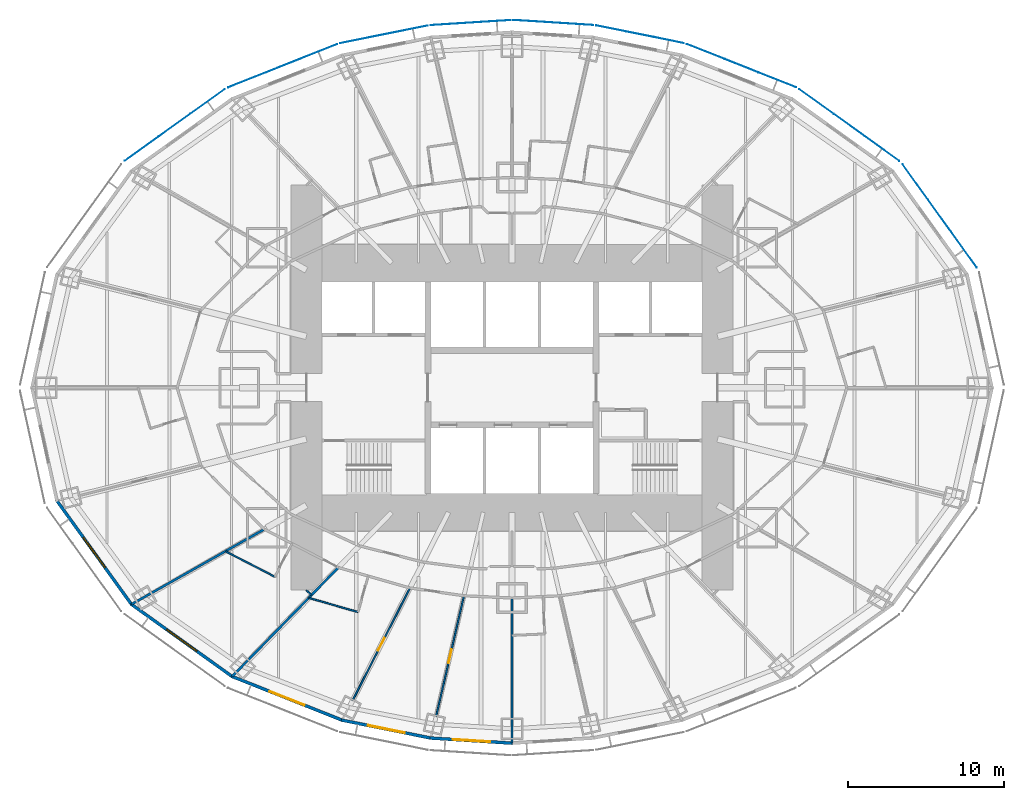
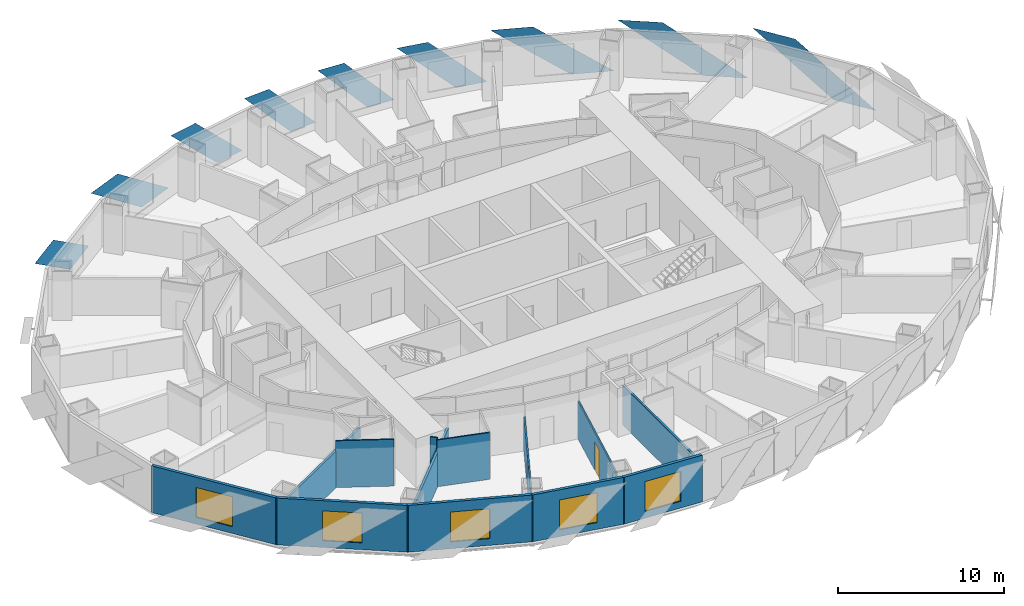
# One storey, part 4 of 15: 13 walls, 9 plates, 5 windows, 2 doors, 7 openings.
"""IFC4 building model written with IfcOpenShell, lengths in metres."""

from ifc_helpers import new_model, si_unit, direction, frame, frame_2d, origin, place, context, subcontext, project, spatial, polyline, rectangle, outline, extrude, material, layer, layer_set, type_object, element, fill, save


model = new_model("IFC4")

# Units and contexts
model_context = context("Model", 3, precision=1e-05, world=origin(), true_north=direction((0.0, 1.0)))
body_context = subcontext(model_context, "Body", "Model", "MODEL_VIEW")
ifc_project = project(units=[si_unit("LENGTHUNIT", "METRE"), si_unit("AREAUNIT", "SQUARE_METRE"), si_unit("VOLUMEUNIT", "CUBIC_METRE"), si_unit("PLANEANGLEUNIT", "RADIAN"), si_unit("MASSUNIT", "GRAM", prefix="KILO")], contexts=[model_context])

# Site, building, storey
site_placement = place(None, origin())
site = spatial("IfcSite", under=ifc_project, at=site_placement, CompositionType="ELEMENT")
building_placement = place(site_placement, origin())
building = spatial("IfcBuilding", under=site, at=building_placement, Name="Lantaw Convention Tower", CompositionType="ELEMENT")
storey_placement = place(building_placement, frame((0.0, 0.0, 47.800048828125)))
storey = spatial("IfcBuildingStorey", under=building, at=storey_placement, Name="L09", CompositionType="ELEMENT", Elevation=47.800048828125)

# Plates
ifc_material_1 = material(Name="Perforated aluminium sheet, pale silver finish", Category="aluminium")
ifc_layer_1 = layer(ifc_material_1, 0.006103515625)
ifc_layer_set_1 = layer_set([ifc_layer_1], Name="Perforated aluminium solar SCREEN panel")
plate_type = type_object("IfcPlateType", Name="Perforated aluminium solar SCREEN panel", PredefinedType="SHEET", material=ifc_layer_set_1)
plate_1_placement = place(storey_placement, frame((29.847900390625, 7.720947265625, -0.175048828125), z_axis=(0.811791382613, 0.583947558463, 9.019268e-06), x_axis=(-0.583947558486, 0.811791382646, 0.0)))
element("IfcPlate", 1, at=plate_1_placement, inside=storey, type_object=plate_type, Name="Solar SCREEN panel", PredefinedType="SHEET", context=body_context, shape_type="SweptSolid", body=[
    extrude(outline(polyline([(0.0, 0.0), (2.809541672291133, 0.0), (8.163093158837512, 3.739990234527119), (5.353551486546379, 3.739990234527119), (0.0, 0.0)])), origin(), (0.0, 0.0, -1.0), 0.006103515625),
])
plate_2_placement = place(storey_placement, frame((24.872314453125, 14.555908203125, -0.175048828125), z_axis=(0.582561421998, 0.812786681331, 1.5819417e-05), x_axis=(-0.812786681433, 0.582561422071, 0.0)))
element("IfcPlate", 2, at=plate_2_placement, inside=storey, type_object=plate_type, Name="Solar SCREEN panel", PredefinedType="SHEET", context=body_context, shape_type="SweptSolid", body=[
    extrude(outline(polyline([(0.0, 0.0), (2.721095180812288, 3.3881317890172014e-21), (7.903118572410756, 3.739990234842974), (5.182023391598468, 3.739990234842974), (0.0, 0.0)])), origin(), (0.0, 0.0, -1.0), 0.006103515625),
])
plate_3_placement = place(storey_placement, frame((18.232177734375, 19.278076171875, -0.175048828125), z_axis=(-0.369183532846, -0.929356508016, 9.163296e-06), x_axis=(-0.929356508055, 0.369183532862, 0.0)))
element("IfcPlate", 3, at=plate_3_placement, inside=storey, type_object=plate_type, Name="Solar SCREEN panel", PredefinedType="SHEET", context=body_context, shape_type="SweptSolid", body=[
    extrude(outline(polyline([(0.0, 0.0), (2.594936467166582, -1.6940658945086007e-21), (7.5321069917580825, -3.739990234532016), (4.937170524591499, -3.739990234532016), (0.0, 0.0)])), origin(), (0.0, 0.0, -1.0), 0.006103515625),
])
plate_4_placement = place(storey_placement, frame((11.03271484375, 22.117919921875, -0.175048828125), z_axis=(-0.197781876197, -0.980246055561, 2.418535e-06), x_axis=(-0.980246055563, 0.197781876198, 1.46e-10)))
element("IfcPlate", 4, at=plate_4_placement, inside=storey, type_object=plate_type, Name="Solar SCREEN panel", PredefinedType="SHEET", context=body_context, shape_type="SweptSolid", body=[
    extrude(outline(polyline([(0.0, 0.0), (1.9867801772236329, -3.1763735522036263e-22), (5.743587245978565, -3.7399902335493134), (3.7568553553458006, -3.739990234128105), (0.0, 0.0)])), origin(), (0.0, 0.0, -1.0), 0.006103515625),
])
plate_5_placement = place(storey_placement, frame((5.221923828125, 23.27783203125, -0.175048828125), z_axis=(-0.062923905251, -0.998018327468, 1.3605496e-05), x_axis=(-0.998018327561, 0.062923905257, 9.3e-10)))
element("IfcPlate", 5, at=plate_5_placement, inside=storey, type_object=plate_type, Name="Solar SCREEN panel", PredefinedType="SHEET", context=body_context, shape_type="SweptSolid", body=[
    extrude(outline(polyline([(0.0, 0.0), (1.7828375409377817, -2.117582368135751e-22), (5.143985963027618, -3.739990229938699), (3.3611637843713935, -3.7399902332537565), (0.0, 0.0)])), origin(), (0.0, 0.0, -1.0), 0.006103515625),
])
plate_6_placement = place(storey_placement, frame((-0.088134765625, 23.6015625, -0.175048828125), z_axis=(-0.062923905251, 0.998018327468, 1.3605496e-05), x_axis=(-0.998018327561, -0.062923905257, -9.3e-10)))
element("IfcPlate", 6, at=plate_6_placement, inside=storey, type_object=plate_type, Name="Solar SCREEN panel", PredefinedType="SHEET", context=body_context, shape_type="SweptSolid", body=[
    extrude(outline(polyline([(0.0, 0.0), (1.782822178656225, -2.117582368135751e-22), (5.143985956073316, 3.7399902395036517), (3.3611484151355353, 3.7399902361885653), (0.0, 0.0)])), origin(), (0.0, 0.0, -1.0), 0.006103515625),
])
plate_7_placement = place(storey_placement, frame((-5.402587890625, 23.25390625, -0.175048828125), z_axis=(-0.197781876197, 0.980246055561, 2.418535e-06), x_axis=(-0.980246055563, -0.197781876198, -1.46e-10)))
element("IfcPlate", 7, at=plate_7_placement, inside=storey, type_object=plate_type, Name="Solar SCREEN panel", PredefinedType="SHEET", context=body_context, shape_type="SweptSolid", body=[
    extrude(outline(polyline([(0.0, 0.0), (1.9867318906327642, 1.0587911840678754e-22), (5.743587244888999, 3.7399902352225842), (3.7568070676653664, 3.7399902346437783), (0.0, 0.0)])), origin(), (0.0, 0.0, -1.0), 0.006103515625),
])
plate_8_placement = place(storey_placement, frame((-11.232177734375, 22.058837890625, -0.175048828125), z_axis=(-0.369183532846, 0.929356508016, 9.163296e-06), x_axis=(-0.929356508055, -0.369183532862, 0.0)))
element("IfcPlate", 8, at=plate_8_placement, inside=storey, type_object=plate_type, Name="Solar SCREEN panel", PredefinedType="SHEET", context=body_context, shape_type="SweptSolid", body=[
    extrude(outline(polyline([(0.0, 0.0), (2.594936467166582, 1.6940658945086007e-21), (7.5321069917580825, 3.739990234532016), (4.937170524591499, 3.739990234532016), (0.0, 0.0)])), origin(), (0.0, 0.0, -1.0), 0.006103515625),
])
plate_9_placement = place(storey_placement, frame((-18.44873046875, 19.159912109375, -0.175048828125), z_axis=(0.582561421998, -0.812786681331, 1.5819417e-05), x_axis=(-0.812786681433, -0.582561422071, 0.0)))
element("IfcPlate", 9, at=plate_9_placement, inside=storey, type_object=plate_type, Name="Solar SCREEN panel", PredefinedType="SHEET", context=body_context, shape_type="SweptSolid", body=[
    extrude(outline(polyline([(0.0, 0.0), (2.721095180812288, -3.3881317890172014e-21), (7.903118572410756, -3.739990234842974), (5.182023391598468, -3.739990234842974), (0.0, 0.0)])), origin(), (0.0, 0.0, -1.0), 0.006103515625),
])

# Walls
ifc_material_2 = material(Name="Moisture resistant gypsum board on steel studs", Category="steel")
ifc_layer_2 = layer(ifc_material_2, 0.10009765625)
ifc_layer_set_2 = layer_set([ifc_layer_2], Name="Bathroom wall 100")
wall_type_1 = type_object("IfcWallType", Name="Bathroom wall 100", PredefinedType="PARTITIONING", material=ifc_layer_set_2)
wall_1_placement = place(storey_placement, frame((-15.2265625, -12.13671875, 0.0), z_axis=(0.0, 0.0, 1.0), x_axis=(-0.888342312029, 0.459181812204, 0.0)))
element("IfcWall", 10, at=wall_1_placement, inside=storey, type_object=wall_type_1, Name="Bathroom wall 100", PredefinedType="PARTITIONING", context=body_context, shape_type="SweptSolid", body=[
    extrude(rectangle(XDim=3.5537109375, YDim=0.10009765625, at=frame_2d((1.77685546875, 0.0))), origin(), (0.0, 0.0, 1.0), 3.449951171875),
])
wall_2_placement = place(storey_placement, frame((-9.884521484375, -14.401123046875, 0.0), z_axis=(0.0, 0.0, 1.0), x_axis=(-0.961456470712, 0.274957187441, 0.0)))
element("IfcWall", 11, at=wall_2_placement, inside=storey, type_object=wall_type_1, Name="Bathroom wall 100", PredefinedType="PARTITIONING", context=body_context, shape_type="SweptSolid", body=[
    extrude(rectangle(XDim=3.2783203125, YDim=0.10009765625, at=frame_2d((1.63916015625, 0.0))), origin(), (0.0, 0.0, 1.0), 3.449951171875),
])

# Wall, opening, window
ifc_material_3 = material(Name="Insulated aluminium panel on steel frame", Category="steel")
ifc_layer_3 = layer(ifc_material_3, 0.199951171875)
ifc_layer_set_3 = layer_set([ifc_layer_3], Name="External wall 200")
wall_type_2 = type_object("IfcWallType", Name="External wall 200", PredefinedType="SOLIDWALL", material=ifc_layer_set_3)
wall_3_placement = place(storey_placement, frame((-29.260498046875, -7.199951171875, 0.0), z_axis=(0.0, 0.0, 1.0), x_axis=(0.583937613703, -0.811798536155, 0.0)))
wall_3 = element("IfcWall", 12, at=wall_3_placement, inside=storey, type_object=wall_type_2, Name="Facade panel wall", PredefinedType="SOLIDWALL", context=body_context, shape_type="SweptSolid", body=[
    extrude(rectangle(XDim=8.322998046875, YDim=0.199951171875, at=frame_2d((4.16162109375, 0.0))), origin(), (0.0, 0.0, 1.0), 3.449951171875),
])
opening_1_placement = place(wall_3_placement, frame((2.96142578125, 0.0, 0.5)))
opening_1 = element("IfcOpeningElement", 13, at=opening_1_placement, cuts=wall_3, Name="Opening W1", PredefinedType="OPENING", context=body_context, shape_type="SweptSolid", body=[
    extrude(rectangle(XDim=2.39990234375, YDim=2.199951171875, at=frame_2d((1.199951171875, 1.10009765625))), frame((0.0, 0.10986328125, 0.0), z_axis=(0.0, -1.0, 0.0), x_axis=(1.0, 0.0, 0.0)), (0.0, 0.0, 1.0), 0.219970703125),
])
ifc_material_4 = material(Name="Aluminium frame, clear insulating glass", Category="aluminium")
window_type = type_object("IfcWindowType", Name="Guest room window 2400x2200", PartitioningType="SINGLE_PANEL", PredefinedType="WINDOW", material=ifc_material_4)
window_1_placement = place(opening_1_placement, origin())
window_1 = element("IfcWindow", 14, at=window_1_placement, inside=storey, type_object=window_type, Name="Guest room window", OverallHeight=2.199951171875, OverallWidth=2.39990234375, PartitioningType="SINGLE_PANEL", PredefinedType="WINDOW", context=body_context, shape_type="SweptSolid", body=[
    extrude(rectangle(XDim=2.39990234375, YDim=2.199951171875, at=frame_2d((1.199951171875, 1.10009765625))), frame((0.0, 0.030029296875, 0.0), z_axis=(0.0, -1.0, 0.0), x_axis=(1.0, 0.0, 0.0)), (0.0, 0.0, 1.0), 0.06005859375),
])
fill(opening_1, window_1)

wall_4_placement = place(storey_placement, frame((-24.482421875, -13.87451171875, 0.0), z_axis=(0.0, 0.0, 1.0), x_axis=(0.812791321576, -0.582554948112, 0.0)))
wall_4 = element("IfcWall", 15, at=wall_4_placement, inside=storey, type_object=wall_type_2, Name="Facade panel wall", PredefinedType="SOLIDWALL", context=body_context, shape_type="SweptSolid", body=[
    extrude(rectangle(XDim=8.063232421875, YDim=0.199951171875, at=frame_2d((4.03173828125, 0.0))), origin(), (0.0, 0.0, 1.0), 3.449951171875),
])
opening_2_placement = place(wall_4_placement, frame((2.83154296875, 0.0, 0.5)))
opening_2 = element("IfcOpeningElement", 16, at=opening_2_placement, cuts=wall_4, Name="Opening W1", PredefinedType="OPENING", context=body_context, shape_type="SweptSolid", body=[
    extrude(rectangle(XDim=2.39990234375, YDim=2.199951171875, at=frame_2d((1.199951171875, 1.10009765625))), frame((0.0, 0.10986328125, 0.0), z_axis=(0.0, -1.0, 0.0), x_axis=(1.0, 0.0, 0.0)), (0.0, 0.0, 1.0), 0.219970703125),
])
window_2_placement = place(opening_2_placement, origin())
window_2 = element("IfcWindow", 17, at=window_2_placement, inside=storey, type_object=window_type, Name="Guest room window", OverallHeight=2.199951171875, OverallWidth=2.39990234375, PartitioningType="SINGLE_PANEL", PredefinedType="WINDOW", context=body_context, shape_type="SweptSolid", body=[
    extrude(rectangle(XDim=2.39990234375, YDim=2.199951171875, at=frame_2d((1.199951171875, 1.10009765625))), frame((0.0, 0.030029296875, 0.0), z_axis=(0.0, -1.0, 0.0), x_axis=(1.0, 0.0, 0.0)), (0.0, 0.0, 1.0), 0.06005859375),
])
fill(opening_2, window_2)

wall_5_placement = place(storey_placement, frame((-18.018310546875, -18.522705078125, 0.0), z_axis=(0.0, 0.0, 1.0), x_axis=(0.929358351251, -0.369178892895, 0.0)))
wall_5 = element("IfcWall", 18, at=wall_5_placement, inside=storey, type_object=wall_type_2, Name="Facade panel wall", PredefinedType="SOLIDWALL", context=body_context, shape_type="SweptSolid", body=[
    extrude(rectangle(XDim=7.6923828125, YDim=0.199951171875, at=frame_2d((3.84619140625, 0.0))), origin(), (0.0, 0.0, 1.0), 3.449951171875),
])
opening_3_placement = place(wall_5_placement, frame((2.64599609375, 0.0, 0.5)))
opening_3 = element("IfcOpeningElement", 19, at=opening_3_placement, cuts=wall_5, Name="Opening W1", PredefinedType="OPENING", context=body_context, shape_type="SweptSolid", body=[
    extrude(rectangle(XDim=2.39990234375, YDim=2.199951171875, at=frame_2d((1.199951171875, 1.10009765625))), frame((0.0, 0.10986328125, 0.0), z_axis=(0.0, -1.0, 0.0), x_axis=(1.0, 0.0, 0.0)), (0.0, 0.0, 1.0), 0.219970703125),
])
window_3_placement = place(opening_3_placement, origin())
window_3 = element("IfcWindow", 20, at=window_3_placement, inside=storey, type_object=window_type, Name="Guest room window", OverallHeight=2.199951171875, OverallWidth=2.39990234375, PartitioningType="SINGLE_PANEL", PredefinedType="WINDOW", context=body_context, shape_type="SweptSolid", body=[
    extrude(rectangle(XDim=2.39990234375, YDim=2.199951171875, at=frame_2d((1.199951171875, 1.10009765625))), frame((0.0, 0.030029296875, 0.0), z_axis=(0.0, -1.0, 0.0), x_axis=(1.0, 0.0, 0.0)), (0.0, 0.0, 1.0), 0.06005859375),
])
fill(opening_3, window_3)

wall_6_placement = place(storey_placement, frame((-10.956787109375, -21.336669921875, 0.0), z_axis=(0.0, 0.0, 1.0), x_axis=(0.980251657452, -0.197754110105, 0.0)))
wall_6 = element("IfcWall", 21, at=wall_6_placement, inside=storey, type_object=wall_type_2, Name="Facade panel wall", PredefinedType="SOLIDWALL", context=body_context, shape_type="SweptSolid", body=[
    extrude(rectangle(XDim=5.90380859375, YDim=0.199951171875, at=frame_2d((2.951904296875, 0.0))), origin(), (0.0, 0.0, 1.0), 3.449951171875),
])
opening_4_placement = place(wall_6_placement, frame((1.751708984375, 0.0, 0.5)))
opening_4 = element("IfcOpeningElement", 22, at=opening_4_placement, cuts=wall_6, Name="Opening W1", PredefinedType="OPENING", context=body_context, shape_type="SweptSolid", body=[
    extrude(rectangle(XDim=2.39990234375, YDim=2.199951171875, at=frame_2d((1.199951171875, 1.10009765625))), frame((0.0, 0.10986328125, 0.0), z_axis=(0.0, -1.0, 0.0), x_axis=(1.0, 0.0, 0.0)), (0.0, 0.0, 1.0), 0.219970703125),
])
window_4_placement = place(opening_4_placement, origin())
window_4 = element("IfcWindow", 23, at=window_4_placement, inside=storey, type_object=window_type, Name="Guest room window", OverallHeight=2.199951171875, OverallWidth=2.39990234375, PartitioningType="SINGLE_PANEL", PredefinedType="WINDOW", context=body_context, shape_type="SweptSolid", body=[
    extrude(rectangle(XDim=2.39990234375, YDim=2.199951171875, at=frame_2d((1.199951171875, 1.10009765625))), frame((0.0, 0.030029296875, 0.0), z_axis=(0.0, -1.0, 0.0), x_axis=(1.0, 0.0, 0.0)), (0.0, 0.0, 1.0), 0.06005859375),
])
fill(opening_4, window_4)

wall_7_placement = place(storey_placement, frame((-5.252685546875, -22.493408203125, 0.0), z_axis=(0.0, 0.0, 1.0), x_axis=(0.998018582375, -0.062919863585, 0.0)))
wall_7 = element("IfcWall", 24, at=wall_7_placement, inside=storey, type_object=wall_type_2, Name="Facade panel wall", PredefinedType="SOLIDWALL", context=body_context, shape_type="SweptSolid", body=[
    extrude(rectangle(XDim=5.30419921875, YDim=0.199951171875, at=frame_2d((2.652099609375, 0.0))), origin(), (0.0, 0.0, 1.0), 3.449951171875),
])
opening_5_placement = place(wall_7_placement, frame((1.4521484375, 0.0, 0.5)))
opening_5 = element("IfcOpeningElement", 25, at=opening_5_placement, cuts=wall_7, Name="Opening W1", PredefinedType="OPENING", context=body_context, shape_type="SweptSolid", body=[
    extrude(rectangle(XDim=2.39990234375, YDim=2.199951171875, at=frame_2d((1.199951171875, 1.10009765625))), frame((0.0, 0.10986328125, 0.0), z_axis=(0.0, -1.0, 0.0), x_axis=(1.0, 0.0, 0.0)), (0.0, 0.0, 1.0), 0.219970703125),
])
window_5_placement = place(opening_5_placement, origin())
window_5 = element("IfcWindow", 26, at=window_5_placement, inside=storey, type_object=window_type, Name="Guest room window", OverallHeight=2.199951171875, OverallWidth=2.39990234375, PartitioningType="SINGLE_PANEL", PredefinedType="WINDOW", context=body_context, shape_type="SweptSolid", body=[
    extrude(rectangle(XDim=2.39990234375, YDim=2.199951171875, at=frame_2d((1.199951171875, 1.10009765625))), frame((0.0, 0.030029296875, 0.0), z_axis=(0.0, -1.0, 0.0), x_axis=(1.0, 0.0, 0.0)), (0.0, 0.0, 1.0), 0.06005859375),
])
fill(opening_5, window_5)

# Walls
ifc_material_5 = material(Name="Gypsum board on steel studs, acoustic", Category="steel")
ifc_layer_4 = layer(ifc_material_5, 0.14990234375)
ifc_layer_set_4 = layer_set([ifc_layer_4], Name="Guest room party wall 150")
wall_type_3 = type_object("IfcWallType", Name="Guest room party wall 150", PredefinedType="PARTITIONING", material=ifc_layer_set_4)
wall_8_placement = place(storey_placement, frame((-24.434814453125, -13.90869140625, 0.0), z_axis=(0.0, 0.0, 1.0), x_axis=(0.870612006791, 0.491970256856, 0.0)))
element("IfcWall", 27, at=wall_8_placement, inside=storey, type_object=wall_type_3, Name="Guest room party wall 150", PredefinedType="PARTITIONING", context=body_context, shape_type="SweptSolid", body=[
    extrude(rectangle(XDim=9.802001953125, YDim=0.14990234375, at=frame_2d((4.90087890625, 0.0))), origin(), (0.0, 0.0, 1.0), 2.693115234375),
])
wall_9_placement = place(storey_placement, frame((-17.970458984375, -18.541748046875, 0.0), z_axis=(0.0, 0.0, 1.0), x_axis=(0.698095013805, 0.71600513385, 0.0)))
element("IfcWall", 28, at=wall_9_placement, inside=storey, type_object=wall_type_3, Name="Guest room party wall 150", PredefinedType="PARTITIONING", context=body_context, shape_type="SweptSolid", body=[
    extrude(rectangle(XDim=9.773681640625, YDim=0.14990234375, at=frame_2d((4.88671875, 0.0))), origin(), (0.0, 0.0, 1.0), 2.52783203125),
])
wall_10_placement = place(storey_placement, frame((0.0, -22.82470703125, 0.0), z_axis=(0.0, 0.0, 1.0), x_axis=(0.0, 1.0, 0.0)))
element("IfcWall", 29, at=wall_10_placement, inside=storey, type_object=wall_type_3, Name="Guest room party wall 150", PredefinedType="PARTITIONING", context=body_context, shape_type="SweptSolid", body=[
    extrude(rectangle(XDim=9.32470703125, YDim=0.14990234375, at=frame_2d((4.662353515625, 0.0))), origin(), (0.0, 0.0, 1.0), 2.924072265625),
])
ifc_layer_5 = layer(ifc_material_5, 0.10009765625)
ifc_layer_set_5 = layer_set([ifc_layer_5], Name="Office partition 100")
wall_type_4 = type_object("IfcWallType", Name="Office partition 100", PredefinedType="PARTITIONING", material=ifc_layer_set_5)
wall_11_placement = place(storey_placement, frame((-13.199951171875, -13.0, 0.0), z_axis=(0.0, 0.0, 1.0), x_axis=(0.715946243145, -0.698155410296, 0.0)))
element("IfcWall", 30, at=wall_11_placement, inside=storey, type_object=wall_type_4, Name="Office partition 100", PredefinedType="PARTITIONING", context=body_context, shape_type="SweptSolid", body=[
    extrude(rectangle(XDim=0.452880859375, YDim=0.10009765625, at=frame_2d((0.2265625, 0.0))), origin(), (0.0, 0.0, 1.0), 3.449951171875),
])

# Wall, opening, door
ifc_material_6 = material(Name="Gypsum board on steel studs", Category="steel")
ifc_layer_6 = layer(ifc_material_6, 0.10009765625)
ifc_layer_set_6 = layer_set([ifc_layer_6], Name="Suite partition 100")
wall_type_5 = type_object("IfcWallType", Name="Suite partition 100", PredefinedType="PARTITIONING", material=ifc_layer_set_6)
wall_12_placement = place(storey_placement, frame((-10.235595703125, -20.08837890625, 0.0), z_axis=(0.0, 0.0, 1.0), x_axis=(0.45398797485, 0.891007810679, 0.0)))
wall_12 = element("IfcWall", 31, at=wall_12_placement, inside=storey, type_object=wall_type_5, Name="Suite partition 100", PredefinedType="PARTITIONING", context=body_context, shape_type="SweptSolid", body=[
    extrude(rectangle(XDim=8.114990234375, YDim=0.10009765625, at=frame_2d((4.0576171875, 0.0))), origin(), (0.0, 0.0, 1.0), 2.52783203125),
])
opening_6_placement = place(wall_12_placement, frame((3.607421875, 0.0, 0.0)))
opening_6 = element("IfcOpeningElement", 32, at=opening_6_placement, cuts=wall_12, Name="Opening L09.50", PredefinedType="OPENING", context=body_context, shape_type="SweptSolid", body=[
    extrude(rectangle(XDim=0.89990234375, YDim=2.10009765625, at=frame_2d((0.449951171875, 1.050048828125))), frame((0.0, 0.06005859375, 0.0), z_axis=(0.0, -1.0, 0.0), x_axis=(1.0, 0.0, 0.0)), (0.0, 0.0, 1.0), 0.1201171875),
])
ifc_material_7 = material(Name="Timber", Category="wood")
door_type = type_object("IfcDoorType", Name="Suite door 900", OperationType="SINGLE_SWING_LEFT", PredefinedType="DOOR", material=ifc_material_7)
door_1_placement = place(opening_6_placement, origin())
door_1 = element("IfcDoor", 33, at=door_1_placement, inside=storey, type_object=door_type, Name="Bedroom door", OperationType="SINGLE_SWING_LEFT", OverallHeight=2.10009765625, OverallWidth=0.89990234375, PredefinedType="DOOR", context=body_context, shape_type="SweptSolid", body=[
    extrude(rectangle(XDim=0.89990234375, YDim=2.10009765625, at=frame_2d((0.449951171875, 1.050048828125))), frame((0.0, 0.02490234375, 0.0), z_axis=(0.0, -1.0, 0.0), x_axis=(1.0, 0.0, 0.0)), (0.0, 0.0, 1.0), 0.050048828125),
])
fill(opening_6, door_1)

wall_13_placement = place(storey_placement, frame((-4.873779296875, -21.11083984375, 0.0), z_axis=(0.0, 0.0, 1.0), x_axis=(0.22494692831, 0.974371017346, 0.0)))
wall_13 = element("IfcWall", 34, at=wall_13_placement, inside=storey, type_object=wall_type_5, Name="Suite partition 100", PredefinedType="PARTITIONING", context=body_context, shape_type="SweptSolid", body=[
    extrude(rectangle(XDim=7.954345703125, YDim=0.10009765625, at=frame_2d((3.97705078125, 0.0))), origin(), (0.0, 0.0, 1.0), 2.7666015625),
])
opening_7_placement = place(wall_13_placement, frame((3.527099609375, 0.0, 0.0)))
opening_7 = element("IfcOpeningElement", 35, at=opening_7_placement, cuts=wall_13, Name="Opening L09.51", PredefinedType="OPENING", context=body_context, shape_type="SweptSolid", body=[
    extrude(rectangle(XDim=0.89990234375, YDim=2.10009765625, at=frame_2d((0.449951171875, 1.050048828125))), frame((0.0, 0.06005859375, 0.0), z_axis=(0.0, -1.0, 0.0), x_axis=(1.0, 0.0, 0.0)), (0.0, 0.0, 1.0), 0.1201171875),
])
door_2_placement = place(opening_7_placement, origin())
door_2 = element("IfcDoor", 36, at=door_2_placement, inside=storey, type_object=door_type, Name="Kitchenette door", OperationType="SINGLE_SWING_LEFT", OverallHeight=2.10009765625, OverallWidth=0.89990234375, PredefinedType="DOOR", context=body_context, shape_type="SweptSolid", body=[
    extrude(rectangle(XDim=0.89990234375, YDim=2.10009765625, at=frame_2d((0.449951171875, 1.050048828125))), frame((0.0, 0.02490234375, 0.0), z_axis=(0.0, -1.0, 0.0), x_axis=(1.0, 0.0, 0.0)), (0.0, 0.0, 1.0), 0.050048828125),
])
fill(opening_7, door_2)

save(model, "model.ifc")
